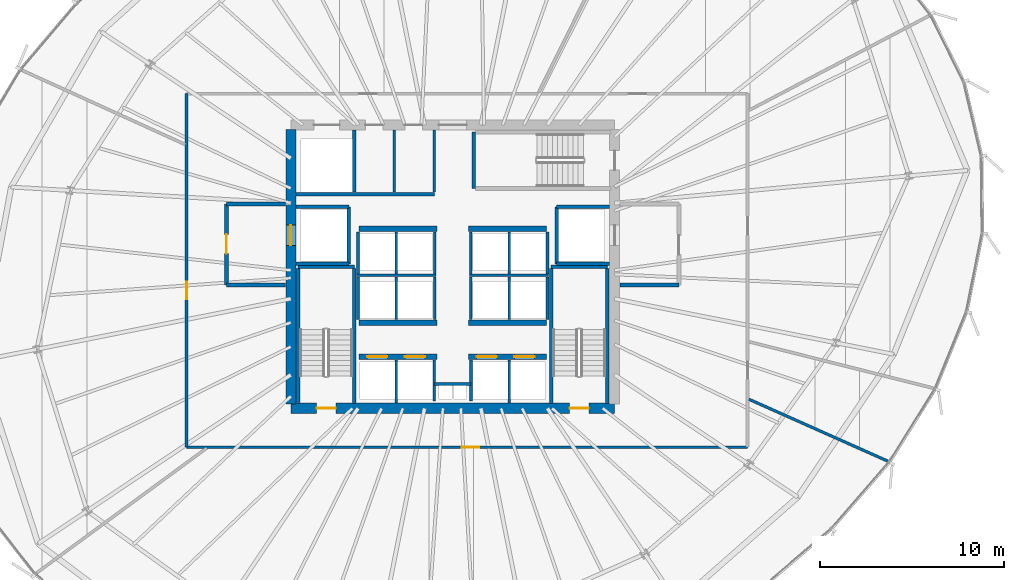
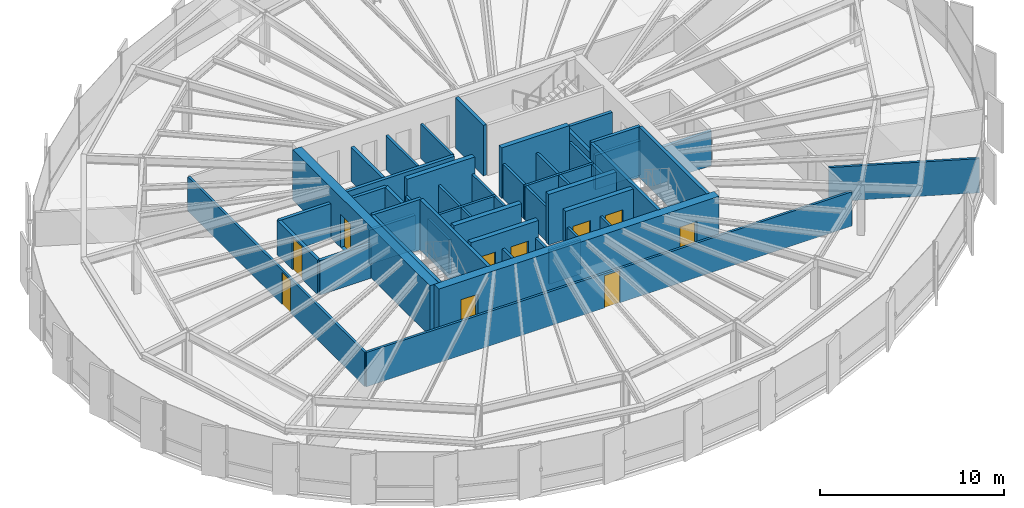
# One storey, part 27 of 33: 51 walls, 10 doors, 10 openings.
"""IFC4 building model written with IfcOpenShell, lengths in metres."""

from ifc_helpers import new_model, si_unit, direction, frame, frame_2d, origin, place, context, subcontext, project, spatial, rectangle, extrude, source, transform, mapped, material, layer, layer_set, type_object, element, fill, save


model = new_model("IFC4")

# Units and contexts
model_context = context("Model", 3, precision=1e-05, world=origin(), true_north=direction((0.0, 1.0)))
body_context = subcontext(model_context, "Body", "Model", "MODEL_VIEW")
ifc_project = project(units=[si_unit("LENGTHUNIT", "METRE"), si_unit("AREAUNIT", "SQUARE_METRE"), si_unit("VOLUMEUNIT", "CUBIC_METRE"), si_unit("PLANEANGLEUNIT", "RADIAN"), si_unit("MASSUNIT", "GRAM", prefix="KILO"), si_unit("THERMODYNAMICTEMPERATUREUNIT", "KELVIN")], contexts=[model_context])

# Site, building, storey
site_placement = place(None, origin())
site = spatial("IfcSite", under=ifc_project, at=site_placement, CompositionType="ELEMENT")
building_placement = place(site_placement, origin())
building = spatial("IfcBuilding", under=site, at=building_placement, Name="Kethvar Cultural Tower", CompositionType="ELEMENT")
storey_placement = place(building_placement, frame((0.0, 0.0, 114.39990234375)))
storey = spatial("IfcBuildingStorey", under=building, at=storey_placement, Name="L28", CompositionType="ELEMENT", Elevation=114.39990234375)

# Wall, openings, doors
ifc_material_1 = material(Name="Concrete C60/75", Category="concrete")
ifc_layer_1 = layer(ifc_material_1, 0.550048828125, Name="Concrete C60/75", Category="concrete")
ifc_layer_set_1 = layer_set([ifc_layer_1], Name="Concrete C60/75 (550 mm)")
wall_type_1 = type_object("IfcWallType", Name="WL-CORE-550", PredefinedType="SHEAR", material=ifc_layer_set_1)
wall_1_placement = place(storey_placement, frame((38.0, 20.10009765625, 0.0), z_axis=(0.0, 0.0, 1.0), x_axis=(1.0, 0.0, 0.0)))
wall_1 = element("IfcWall", 1, at=wall_1_placement, inside=storey, type_object=wall_type_1, Name="L28 Core Shear Wall S", PredefinedType="SHEAR", context=body_context, shape_type="SweptSolid", body=[
    extrude(rectangle(XDim=17.60009765625, YDim=0.550048828125, at=frame_2d((8.800048828125, 0.0))), origin(), (0.0, 0.0, 1.0), 3.35009765625),
])
opening_1_placement = place(wall_1_placement, frame((1.39990234375, 0.0, 0.0)))
opening_1 = element("IfcOpeningElement", 2, at=opening_1_placement, cuts=wall_1, Name="Opening D-L28-S1", PredefinedType="OPENING", context=body_context, shape_type="SweptSolid", body=[
    extrude(rectangle(XDim=1.050048828125, YDim=2.14990234375, at=frame_2d((0.52490234375, 1.074951171875))), frame((0.0, 0.284912109375, 0.0), z_axis=(0.0, -1.0, 0.0), x_axis=(1.0, 0.0, 0.0)), (0.0, 0.0, 1.0), 0.570068359375),
])
opening_2_placement = place(wall_1_placement, frame((15.14990234375, 0.0, 0.0)))
opening_2 = element("IfcOpeningElement", 3, at=opening_2_placement, cuts=wall_1, Name="Opening D-L28-ST2", PredefinedType="OPENING", context=body_context, shape_type="SweptSolid", body=[
    extrude(rectangle(XDim=1.050048828125, YDim=2.14990234375, at=frame_2d((0.52490234375, 1.074951171875))), frame((0.0, 0.284912109375, 0.0), z_axis=(0.0, -1.0, 0.0), x_axis=(1.0, 0.0, 0.0)), (0.0, 0.0, 1.0), 0.570068359375),
])
ifc_material_2 = material(Name="Steel S355J2", Category="steel")
door_type_1 = type_object("IfcDoorType", Name="DR-FD60-1050", OperationType="NOTDEFINED", PredefinedType="DOOR", material=ifc_material_2)
shared_shape_1 = source(origin(), body_context, "Body", "SweptSolid", [
    extrude(rectangle(XDim=1.050048828125, YDim=2.14990234375, at=frame_2d((0.52490234375, 1.074951171875))), frame((0.0, 0.02490234375, 0.0), z_axis=(0.0, -1.0, 0.0), x_axis=(1.0, 0.0, 0.0)), (0.0, 0.0, 1.0), 0.050048828125),
])
door_1_placement = place(opening_1_placement, origin())
door_1 = element("IfcDoor", 4, at=door_1_placement, inside=storey, type_object=door_type_1, Name="L28 Exit Stair 1 Door", OperationType="SINGLE_SWING_LEFT", OverallHeight=2.14990234375, OverallWidth=1.050048828125, PredefinedType="DOOR", context=body_context, shape_type="MappedRepresentation", body=[
    mapped(shared_shape_1, transform((0.0, 0.0, 0.0), scale=1.0)),
])
fill(opening_1, door_1)
door_2_placement = place(opening_2_placement, origin())
door_2 = element("IfcDoor", 5, at=door_2_placement, inside=storey, type_object=door_type_1, Name="L28 Exit Stair 2 Door", OperationType="SINGLE_SWING_RIGHT", OverallHeight=2.14990234375, OverallWidth=1.050048828125, PredefinedType="DOOR", context=body_context, shape_type="MappedRepresentation", body=[
    mapped(shared_shape_1, transform((0.0, 0.0, 0.0), scale=1.0)),
])
fill(opening_2, door_2)

# Wall, opening, door
wall_2_placement = place(storey_placement, frame((38.0, 35.260009765625, 0.0), z_axis=(0.0, 0.0, 1.0), x_axis=(0.0, -1.0, 0.0)))
wall_2 = element("IfcWall", 6, at=wall_2_placement, inside=storey, type_object=wall_type_1, Name="L28 Core Shear Wall W", PredefinedType="SHEAR", context=body_context, shape_type="SweptSolid", body=[
    extrude(rectangle(XDim=14.919921875, YDim=0.550048828125, at=frame_2d((7.4599609375, 0.0))), origin(), (0.0, 0.0, 1.0), 3.35009765625),
])
opening_3_placement = place(wall_2_placement, frame((5.2099609375, 0.0, 0.0)))
opening_3 = element("IfcOpeningElement", 7, at=opening_3_placement, cuts=wall_2, Name="Opening LD-1", PredefinedType="OPENING", context=body_context, shape_type="SweptSolid", body=[
    extrude(rectangle(XDim=1.10009765625, YDim=2.199951171875, at=frame_2d((0.550048828125, 1.10009765625))), frame((0.0, 0.284912109375, 0.0), z_axis=(0.0, -1.0, 0.0), x_axis=(1.0, 0.0, 0.0)), (0.0, 0.0, 1.0), 0.570068359375),
])
door_type_2 = type_object("IfcDoorType", Name="DR-LIFT-SLIDE-1100", OperationType="NOTDEFINED", PredefinedType="DOOR", material=ifc_material_2)
shared_shape_2 = source(origin(), body_context, "Body", "SweptSolid", [
    extrude(rectangle(XDim=1.10009765625, YDim=2.199951171875, at=frame_2d((0.550048828125, 1.10009765625))), frame((0.0, 0.02490234375, 0.0), z_axis=(0.0, -1.0, 0.0), x_axis=(1.0, 0.0, 0.0)), (0.0, 0.0, 1.0), 0.050048828125),
])
door_3_placement = place(opening_3_placement, origin())
door_3 = element("IfcDoor", 8, at=door_3_placement, inside=storey, type_object=door_type_2, Name="L28 Firefighting Lift Landing Door FFL-01", OperationType="SLIDING_TO_LEFT", OverallHeight=2.199951171875, OverallWidth=1.10009765625, PredefinedType="DOOR", context=body_context, shape_type="MappedRepresentation", body=[
    mapped(shared_shape_2, transform((0.0, 0.0, 0.0), scale=1.0)),
])
fill(opening_3, door_3)

# Walls
ifc_material_3 = material(Name="Gypsum Fireboard Partition")
ifc_layer_2 = layer(ifc_material_3, 0.14990234375, Name="Gypsum Fireboard Partition")
ifc_layer_set_2 = layer_set([ifc_layer_2], Name="Gypsum Fireboard Partition (150 mm)")
wall_type_2 = type_object("IfcWallType", Name="WL-FIRE-150", PredefinedType="PARTITIONING", material=ifc_layer_set_2)
wall_3_placement = place(storey_placement, frame((45.800048828125, 21.419921875, 0.0), z_axis=(0.0, 0.0, 1.0), x_axis=(1.0, 0.0, 0.0)))
element("IfcWall", 9, at=wall_3_placement, inside=storey, type_object=wall_type_2, Name="L28 Core Riser Wall", PredefinedType="PARTITIONING", context=body_context, shape_type="SweptSolid", body=[
    extrude(rectangle(XDim=2.0, YDim=0.14990234375, at=frame_2d((1.0, 0.0))), origin(), (0.0, 0.0, 1.0), 2.280029296875),
])
for number, where, z_axis, x_axis, name in (
    (10, (45.800048828125, 20.47998046875, 0.0), (0.0, 0.0, 1.0), (0.0, 1.0, 0.0), "L28 Core Riser West Wall"),
    (11, (47.800048828125, 20.47998046875, 0.0), (0.0, 0.0, 1.0), (0.0, 1.0, 0.0), "L28 Core Riser East Wall"),
):
    element("IfcWall", number, at=place(storey_placement, frame(where, z_axis=z_axis, x_axis=x_axis)), inside=storey, type_object=wall_type_2, Name=name, PredefinedType="PARTITIONING", context=body_context, shape_type="SweptSolid", body=[
        extrude(rectangle(XDim=2.239990234375, YDim=0.14990234375, at=frame_2d((1.1201171875, 0.0))), origin(), (0.0, 0.0, 1.0), 2.280029296875),
    ])
for number, where, z_axis, x_axis, name in (
    (12, (43.72509765625, 20.385009765625, 0.0), (0.0, 0.0, 1.0), (0.0, 1.0, 0.0), "L28 Low-Rise Lift Shaft Divider W"),
    (13, (49.875, 20.385009765625, 0.0), (0.0, 0.0, 1.0), (0.0, 1.0, 0.0), "L28 Low-Rise Lift Shaft Divider E"),
):
    element("IfcWall", number, at=place(storey_placement, frame(where, z_axis=z_axis, x_axis=x_axis)), inside=storey, type_object=wall_type_2, Name=name, PredefinedType="PARTITIONING", context=body_context, shape_type="SweptSolid", body=[
        extrude(rectangle(XDim=2.344970703125, YDim=0.14990234375, at=frame_2d((1.17236328125, 0.0))), origin(), (0.0, 0.0, 1.0), 2.280029296875),
    ])
wall_4_placement = place(storey_placement, frame((41.580078125, 27.324951171875, 0.0), z_axis=(0.0, 0.0, 1.0), x_axis=(1.0, 0.0, 0.0)))
element("IfcWall", 14, at=wall_4_placement, inside=storey, type_object=wall_type_2, Name="L28 Mid-High Lift Shaft Back Wall W", PredefinedType="PARTITIONING", context=body_context, shape_type="SweptSolid", body=[
    extrude(rectangle(XDim=4.31982421875, YDim=0.14990234375, at=frame_2d((2.159912109375, 0.0))), origin(), (0.0, 0.0, 1.0), 2.280029296875),
])
wall_5_placement = place(storey_placement, frame((47.699951171875, 27.324951171875, 0.0), z_axis=(0.0, 0.0, 1.0), x_axis=(1.0, 0.0, 0.0)))
element("IfcWall", 15, at=wall_5_placement, inside=storey, type_object=wall_type_2, Name="L28 Mid-High Lift Shaft Back Wall E", PredefinedType="PARTITIONING", context=body_context, shape_type="SweptSolid", body=[
    extrude(rectangle(XDim=4.320068359375, YDim=0.14990234375, at=frame_2d((2.16015625, 0.0))), origin(), (0.0, 0.0, 1.0), 2.280029296875),
])
for number, where, z_axis, x_axis, name in (
    (16, (41.64990234375, 24.919921875, 0.0), (0.0, 0.0, 1.0), (0.0, 1.0, 0.0), "L28 Mid-Rise Lift Shaft Outer Wall W"),
    (17, (43.72509765625, 24.919921875, 0.0), (0.0, 0.0, 1.0), (0.0, 1.0, 0.0), "L28 Mid-Rise Lift Shaft Divider W"),
    (18, (45.824951171875, 24.919921875, 0.0), (0.0, 0.0, 1.0), (0.0, 1.0, 0.0), "L28 Mid-Rise Lift Shaft Concourse Wall W"),
    (19, (47.77490234375, 24.919921875, 0.0), (0.0, 0.0, 1.0), (0.0, 1.0, 0.0), "L28 Mid-Rise Lift Shaft Concourse Wall E"),
    (20, (49.875, 24.919921875, 0.0), (0.0, 0.0, 1.0), (0.0, 1.0, 0.0), "L28 Mid-Rise Lift Shaft Divider E"),
    (21, (51.949951171875, 24.919921875, 0.0), (0.0, 0.0, 1.0), (0.0, 1.0, 0.0), "L28 Mid-Rise Lift Shaft Outer Wall E"),
):
    element("IfcWall", number, at=place(storey_placement, frame(where, z_axis=z_axis, x_axis=x_axis)), inside=storey, type_object=wall_type_2, Name=name, PredefinedType="PARTITIONING", context=body_context, shape_type="SweptSolid", body=[
        extrude(rectangle(XDim=2.320068359375, YDim=0.14990234375, at=frame_2d((1.16015625, 0.0))), origin(), (0.0, 0.0, 1.0), 2.280029296875),
    ])
for number, where, z_axis, x_axis, name in (
    (22, (41.64990234375, 27.409912109375, 0.0), (0.0, 0.0, 1.0), (0.0, 1.0, 0.0), "L28 High-Rise Lift Shaft Outer Wall W"),
    (23, (43.72509765625, 27.409912109375, 0.0), (0.0, 0.0, 1.0), (0.0, 1.0, 0.0), "L28 High-Rise Lift Shaft Divider W"),
    (24, (45.824951171875, 27.409912109375, 0.0), (0.0, 0.0, 1.0), (0.0, 1.0, 0.0), "L28 High-Rise Lift Shaft Concourse Wall W"),
    (25, (47.77490234375, 27.409912109375, 0.0), (0.0, 0.0, 1.0), (0.0, 1.0, 0.0), "L28 High-Rise Lift Shaft Concourse Wall E"),
    (26, (49.875, 27.409912109375, 0.0), (0.0, 0.0, 1.0), (0.0, 1.0, 0.0), "L28 High-Rise Lift Shaft Divider E"),
    (27, (51.949951171875, 27.409912109375, 0.0), (0.0, 0.0, 1.0), (0.0, 1.0, 0.0), "L28 High-Rise Lift Shaft Outer Wall E"),
):
    element("IfcWall", number, at=place(storey_placement, frame(where, z_axis=z_axis, x_axis=x_axis)), inside=storey, type_object=wall_type_2, Name=name, PredefinedType="PARTITIONING", context=body_context, shape_type="SweptSolid", body=[
        extrude(rectangle(XDim=2.27001953125, YDim=0.14990234375, at=frame_2d((1.135009765625, 0.0))), origin(), (0.0, 0.0, 1.0), 2.280029296875),
    ])
wall_6_placement = place(storey_placement, frame((45.800048828125, 31.85009765625, 0.0), z_axis=(0.0, 0.0, 1.0), x_axis=(0.0, 1.0, 0.0)))
element("IfcWall", 28, at=wall_6_placement, inside=storey, type_object=wall_type_2, Name="L28 Sanitary Spine Wall", PredefinedType="PARTITIONING", context=body_context, shape_type="SweptSolid", body=[
    extrude(rectangle(XDim=3.364990234375, YDim=0.14990234375, at=frame_2d((1.6826171875, 0.0))), origin(), (0.0, 0.0, 1.0), 2.280029296875),
])

# Wall, opening, door
wall_7_placement = place(storey_placement, frame((32.330078125, 17.97998046875, 0.0), z_axis=(0.0, 0.0, 1.0), x_axis=(1.0, 0.0, 0.0)))
wall_7 = element("IfcWall", 29, at=wall_7_placement, inside=storey, type_object=wall_type_2, Name="L28 Corridor Rated Wall S", PredefinedType="PARTITIONING", context=body_context, shape_type="SweptSolid", body=[
    extrude(rectangle(XDim=30.5, YDim=0.14990234375, at=frame_2d((15.25, 0.0))), origin(), (0.0, 0.0, 1.0), 2.280029296875),
])
opening_4_placement = place(wall_7_placement, frame((14.9677734375, 0.0, 0.0)))
opening_4 = element("IfcOpeningElement", 30, at=opening_4_placement, cuts=wall_7, Name="Opening D-L28-01", PredefinedType="OPENING", context=body_context, shape_type="SweptSolid", body=[
    extrude(rectangle(XDim=0.949951171875, YDim=2.14990234375, at=frame_2d((0.47509765625, 1.074951171875))), frame((0.0, 0.0849609375, 0.0), z_axis=(0.0, -1.0, 0.0), x_axis=(1.0, 0.0, 0.0)), (0.0, 0.0, 1.0), 0.169921875),
])
ifc_material_4 = material(Name="Architectural Oak Timber", Category="wood")
door_type_3 = type_object("IfcDoorType", Name="DR-FD30-950", OperationType="NOTDEFINED", PredefinedType="DOOR", material=ifc_material_4)
shared_shape_3 = source(origin(), body_context, "Body", "SweptSolid", [
    extrude(rectangle(XDim=0.949951171875, YDim=2.14990234375, at=frame_2d((0.47509765625, 1.074951171875))), frame((0.0, 0.02490234375, 0.0), z_axis=(0.0, -1.0, 0.0), x_axis=(1.0, 0.0, 0.0)), (0.0, 0.0, 1.0), 0.050048828125),
])
door_4_placement = place(opening_4_placement, origin())
door_4 = element("IfcDoor", 31, at=door_4_placement, inside=storey, type_object=door_type_3, Name="L28 Visitor Reception 01 Door", OperationType="SINGLE_SWING_LEFT", OverallHeight=2.14990234375, OverallWidth=0.949951171875, PredefinedType="DOOR", context=body_context, shape_type="MappedRepresentation", body=[
    mapped(shared_shape_3, transform((0.0, 0.0, 0.0), scale=1.0)),
])
fill(opening_4, door_4)

wall_8_placement = place(storey_placement, frame((32.330078125, 37.199951171875, 0.0), z_axis=(0.0, 0.0, 1.0), x_axis=(0.0, -1.0, 0.0)))
wall_8 = element("IfcWall", 32, at=wall_8_placement, inside=storey, type_object=wall_type_2, Name="L28 Corridor Rated Wall W", PredefinedType="PARTITIONING", context=body_context, shape_type="SweptSolid", body=[
    extrude(rectangle(XDim=19.219970703125, YDim=0.14990234375, at=frame_2d((9.60986328125, 0.0))), origin(), (0.0, 0.0, 1.0), 2.280029296875),
])
opening_5_placement = place(wall_8_placement, frame((10.22900390625, 0.0, 0.0)))
opening_5 = element("IfcOpeningElement", 33, at=opening_5_placement, cuts=wall_8, Name="Opening D-L28-06", PredefinedType="OPENING", context=body_context, shape_type="SweptSolid", body=[
    extrude(rectangle(XDim=0.949951171875, YDim=2.14990234375, at=frame_2d((0.47509765625, 1.074951171875))), frame((0.0, 0.0849609375, 0.0), z_axis=(0.0, -1.0, 0.0), x_axis=(1.0, 0.0, 0.0)), (0.0, 0.0, 1.0), 0.169921875),
])
door_5_placement = place(opening_5_placement, origin())
door_5 = element("IfcDoor", 34, at=door_5_placement, inside=storey, type_object=door_type_3, Name="L28 Staff Tea Pantry 06 Door", OperationType="SINGLE_SWING_RIGHT", OverallHeight=2.14990234375, OverallWidth=0.949951171875, PredefinedType="DOOR", context=body_context, shape_type="MappedRepresentation", body=[
    mapped(shared_shape_3, transform((0.0, 0.0, 0.0), scale=1.0)),
])
fill(opening_5, door_5)

# Walls
ifc_material_5 = material(Name="Concrete C40/50", Category="concrete")
ifc_layer_3 = layer(ifc_material_5, 0.199951171875, Name="Concrete C40/50", Category="concrete")
ifc_layer_set_3 = layer_set([ifc_layer_3], Name="Concrete C40/50 (200 mm)")
wall_type_3 = type_object("IfcWallType", Name="WL-FIRE-200", PredefinedType="PARTITIONING", material=ifc_layer_set_3)
wall_9_placement = place(storey_placement, frame((41.14990234375, 27.949951171875, 0.0), z_axis=(0.0, 0.0, 1.0), x_axis=(0.0, 1.0, 0.0)))
element("IfcWall", 35, at=wall_9_placement, inside=storey, type_object=wall_type_3, Name="L28 FFL-01 Shaft Inner Wall", PredefinedType="PARTITIONING", context=body_context, shape_type="SweptSolid", body=[
    extrude(rectangle(XDim=3.10009765625, YDim=0.199951171875, at=frame_2d((1.550048828125, 0.0))), origin(), (0.0, 0.0, 1.0), 2.280029296875),
])
for number, where, z_axis, x_axis, name in (
    (36, (38.284912109375, 27.949951171875, 0.0), (0.0, 0.0, 1.0), (1.0, 0.0, 0.0), "L28 FFL-01 Shaft South Wall"),
    (37, (38.284912109375, 31.050048828125, 0.0), (0.0, 0.0, 1.0), (1.0, 0.0, 0.0), "L28 FFL-01 Shaft North Wall"),
):
    element("IfcWall", number, at=place(storey_placement, frame(where, z_axis=z_axis, x_axis=x_axis)), inside=storey, type_object=wall_type_3, Name=name, PredefinedType="PARTITIONING", context=body_context, shape_type="SweptSolid", body=[
        extrude(rectangle(XDim=2.864990234375, YDim=0.199951171875, at=frame_2d((1.4326171875, 0.0))), origin(), (0.0, 0.0, 1.0), 2.280029296875),
    ])

# Wall, opening, door
wall_10_placement = place(storey_placement, frame((34.5, 31.199951171875, 0.0), z_axis=(0.0, 0.0, 1.0), x_axis=(0.0, -1.0, 0.0)))
wall_10 = element("IfcWall", 38, at=wall_10_placement, inside=storey, type_object=wall_type_3, Name="L28 Firefighting Lobby 1 Wall", PredefinedType="PARTITIONING", context=body_context, shape_type="SweptSolid", body=[
    extrude(rectangle(XDim=4.39990234375, YDim=0.199951171875, at=frame_2d((2.199951171875, 0.0))), origin(), (0.0, 0.0, 1.0), 2.280029296875),
])
opening_6_placement = place(wall_10_placement, frame((1.64990234375, 0.0, 0.0)))
opening_6 = element("IfcOpeningElement", 39, at=opening_6_placement, cuts=wall_10, Name="Opening D-L28-F1", PredefinedType="OPENING", context=body_context, shape_type="SweptSolid", body=[
    extrude(rectangle(XDim=1.050048828125, YDim=2.14990234375, at=frame_2d((0.52490234375, 1.074951171875))), frame((0.0, 0.10986328125, 0.0), z_axis=(0.0, -1.0, 0.0), x_axis=(1.0, 0.0, 0.0)), (0.0, 0.0, 1.0), 0.219970703125),
])
door_6_placement = place(opening_6_placement, origin())
door_6 = element("IfcDoor", 40, at=door_6_placement, inside=storey, type_object=door_type_1, Name="L28 Firefighting Lobby 1 Fire Door", OperationType="SINGLE_SWING_LEFT", OverallHeight=2.14990234375, OverallWidth=1.050048828125, PredefinedType="DOOR", context=body_context, shape_type="MappedRepresentation", body=[
    mapped(shared_shape_1, transform((0.0, 0.0, 0.0), scale=1.0)),
])
fill(opening_6, door_6)

# Walls
for number, where, z_axis, x_axis, name in (
    (41, (34.5, 26.800048828125, 0.0), (0.0, 0.0, 1.0), (1.0, 0.0, 0.0), "L28 FF Lobby 1 South Wall"),
    (42, (34.5, 31.199951171875, 0.0), (0.0, 0.0, 1.0), (1.0, 0.0, 0.0), "L28 FF Lobby 1 North Wall"),
):
    element("IfcWall", number, at=place(storey_placement, frame(where, z_axis=z_axis, x_axis=x_axis)), inside=storey, type_object=wall_type_3, Name=name, PredefinedType="PARTITIONING", context=body_context, shape_type="SweptSolid", body=[
        extrude(rectangle(XDim=3.215087890625, YDim=0.199951171875, at=frame_2d((1.607421875, 0.0))), origin(), (0.0, 0.0, 1.0), 2.280029296875),
    ])
wall_11_placement = place(storey_placement, frame((52.449951171875, 27.949951171875, 0.0), z_axis=(0.0, 0.0, 1.0), x_axis=(0.0, 1.0, 0.0)))
element("IfcWall", 43, at=wall_11_placement, inside=storey, type_object=wall_type_3, Name="L28 FFL-02 Shaft Inner Wall", PredefinedType="PARTITIONING", context=body_context, shape_type="SweptSolid", body=[
    extrude(rectangle(XDim=3.10009765625, YDim=0.199951171875, at=frame_2d((1.550048828125, 0.0))), origin(), (0.0, 0.0, 1.0), 2.280029296875),
])
for number, where, z_axis, x_axis, name in (
    (44, (52.449951171875, 27.949951171875, 0.0), (0.0, 0.0, 1.0), (1.0, 0.0, 0.0), "L28 FFL-02 Shaft South Wall"),
    (45, (52.449951171875, 31.050048828125, 0.0), (0.0, 0.0, 1.0), (1.0, 0.0, 0.0), "L28 FFL-02 Shaft North Wall"),
):
    element("IfcWall", number, at=place(storey_placement, frame(where, z_axis=z_axis, x_axis=x_axis)), inside=storey, type_object=wall_type_3, Name=name, PredefinedType="PARTITIONING", context=body_context, shape_type="SweptSolid", body=[
        extrude(rectangle(XDim=2.864990234375, YDim=0.199951171875, at=frame_2d((1.4326171875, 0.0))), origin(), (0.0, 0.0, 1.0), 2.280029296875),
    ])
wall_12_placement = place(storey_placement, frame((55.885009765625, 26.800048828125, 0.0), z_axis=(0.0, 0.0, 1.0), x_axis=(1.0, 0.0, 0.0)))
element("IfcWall", 46, at=wall_12_placement, inside=storey, type_object=wall_type_3, Name="L28 FF Lobby 2 South Wall", PredefinedType="PARTITIONING", context=body_context, shape_type="SweptSolid", body=[
    extrude(rectangle(XDim=3.215087890625, YDim=0.199951171875, at=frame_2d((1.607421875, 0.0))), origin(), (0.0, 0.0, 1.0), 2.280029296875),
])
wall_13_placement = place(storey_placement, frame((41.449951171875, 31.85009765625, 0.0), z_axis=(0.0, 0.0, 1.0), x_axis=(0.0, 1.0, 0.0)))
element("IfcWall", 47, at=wall_13_placement, inside=storey, type_object=wall_type_3, Name="L28 NW Core Pocket Wall", PredefinedType="PARTITIONING", context=body_context, shape_type="SweptSolid", body=[
    extrude(rectangle(XDim=3.364990234375, YDim=0.199951171875, at=frame_2d((1.6826171875, 0.0))), origin(), (0.0, 0.0, 1.0), 2.280029296875),
])
wall_14_placement = place(storey_placement, frame((38.284912109375, 31.72998046875, 0.0), z_axis=(0.0, 0.0, 1.0), x_axis=(1.0, 0.0, 0.0)))
element("IfcWall", 48, at=wall_14_placement, inside=storey, type_object=wall_type_3, Name="L28 North Core Sanitary South Wall", PredefinedType="PARTITIONING", context=body_context, shape_type="SweptSolid", body=[
    extrude(rectangle(XDim=7.51513671875, YDim=0.199951171875, at=frame_2d((3.757568359375, 0.0))), origin(), (0.0, 0.0, 1.0), 2.280029296875),
])
ifc_material_6 = material(Name="Gypsum Acoustic Partition")
ifc_layer_4 = layer(ifc_material_6, 0.14990234375, Name="Gypsum Acoustic Partition")
ifc_layer_set_4 = layer_set([ifc_layer_4], Name="Gypsum Acoustic Partition (150 mm)")
wall_type_4 = type_object("IfcWallType", Name="WL-PART-150", PredefinedType="PARTITIONING", material=ifc_layer_set_4)
wall_15_placement = place(storey_placement, frame((62.903076171875, 20.588134765625, 0.0), z_axis=(0.0, 0.0, 1.0), x_axis=(0.91339868134, -0.407066148096, 0.0)))
element("IfcWall", 49, at=wall_15_placement, inside=storey, type_object=wall_type_4, Name="L28 Radial Partition Wall 02", PredefinedType="PARTITIONING", context=body_context, shape_type="SweptSolid", body=[
    extrude(rectangle(XDim=8.25146484375, YDim=0.14990234375, at=frame_2d((4.125732421875, 0.0))), origin(), (0.0, 0.0, 1.0), 2.280029296875),
])
ifc_material_7 = material(Name="Moisture-Resistant Sanitary Chase Wall")
ifc_layer_5 = layer(ifc_material_7, 0.14990234375, Name="Moisture-Resistant Sanitary Chase Wall")
ifc_layer_set_5 = layer_set([ifc_layer_5], Name="Moisture-Resistant Sanitary Chase Wall (150 mm)")
wall_type_5 = type_object("IfcWallType", Name="WL-PLUMB-150", PredefinedType="PLUMBINGWALL", material=ifc_layer_set_5)
wall_16_placement = place(storey_placement, frame((43.6201171875, 31.85009765625, 0.0), z_axis=(0.0, 0.0, 1.0), x_axis=(0.0, 1.0, 0.0)))
element("IfcWall", 50, at=wall_16_placement, inside=storey, type_object=wall_type_5, Name="L28 Sanitary Plumbing Wall", PredefinedType="PLUMBINGWALL", context=body_context, shape_type="SweptSolid", body=[
    extrude(rectangle(XDim=3.364990234375, YDim=0.14990234375, at=frame_2d((1.6826171875, 0.0))), origin(), (0.0, 0.0, 1.0), 2.280029296875),
])

# Wall, openings, doors
ifc_material_8 = material(Name="Concrete C50/60", Category="concrete")
ifc_layer_6 = layer(ifc_material_8, 0.300048828125, Name="Concrete C50/60", Category="concrete")
ifc_layer_set_6 = layer_set([ifc_layer_6], Name="Concrete C50/60 (300 mm)")
wall_type_6 = type_object("IfcWallType", Name="WL-SHAFT-300", PredefinedType="SHEAR", material=ifc_layer_set_6)
wall_17_placement = place(storey_placement, frame((41.699951171875, 22.89990234375, 0.0), z_axis=(0.0, 0.0, 1.0), x_axis=(1.0, 0.0, 0.0)))
wall_17 = element("IfcWall", 51, at=wall_17_placement, inside=storey, type_object=wall_type_6, Name="L28 Core Lift Spine Wall MID1W", PredefinedType="SHEAR", context=body_context, shape_type="SweptSolid", body=[
    extrude(rectangle(XDim=4.25, YDim=0.300048828125, at=frame_2d((2.125, 0.0))), origin(), (0.0, 0.0, 1.0), 3.35009765625),
])
opening_7_placement = place(wall_17_placement, frame((0.449951171875, 0.0, 0.0)))
opening_7 = element("IfcOpeningElement", 52, at=opening_7_placement, cuts=wall_17, Name="Opening LD-L1", PredefinedType="OPENING", context=body_context, shape_type="SweptSolid", body=[
    extrude(rectangle(XDim=1.10009765625, YDim=2.199951171875, at=frame_2d((0.550048828125, 1.10009765625))), frame((0.0, 0.159912109375, 0.0), z_axis=(0.0, -1.0, 0.0), x_axis=(1.0, 0.0, 0.0)), (0.0, 0.0, 1.0), 0.320068359375),
])
opening_8_placement = place(wall_17_placement, frame((2.5, 0.0, 0.0)))
opening_8 = element("IfcOpeningElement", 53, at=opening_8_placement, cuts=wall_17, Name="Opening LD-L2", PredefinedType="OPENING", context=body_context, shape_type="SweptSolid", body=[
    extrude(rectangle(XDim=1.10009765625, YDim=2.199951171875, at=frame_2d((0.550048828125, 1.10009765625))), frame((0.0, 0.159912109375, 0.0), z_axis=(0.0, -1.0, 0.0), x_axis=(1.0, 0.0, 0.0)), (0.0, 0.0, 1.0), 0.320068359375),
])
door_7_placement = place(opening_7_placement, origin())
door_7 = element("IfcDoor", 54, at=door_7_placement, inside=storey, type_object=door_type_2, Name="L28 Low-Rise Lift Landing Door L1", OperationType="SLIDING_TO_LEFT", OverallHeight=2.199951171875, OverallWidth=1.10009765625, PredefinedType="DOOR", context=body_context, shape_type="MappedRepresentation", body=[
    mapped(shared_shape_2, transform((0.0, 0.0, 0.0), scale=1.0)),
])
fill(opening_7, door_7)
door_8_placement = place(opening_8_placement, origin())
door_8 = element("IfcDoor", 55, at=door_8_placement, inside=storey, type_object=door_type_2, Name="L28 Low-Rise Lift Landing Door L2", OperationType="SLIDING_TO_LEFT", OverallHeight=2.199951171875, OverallWidth=1.10009765625, PredefinedType="DOOR", context=body_context, shape_type="MappedRepresentation", body=[
    mapped(shared_shape_2, transform((0.0, 0.0, 0.0), scale=1.0)),
])
fill(opening_8, door_8)

wall_18_placement = place(storey_placement, frame((47.64990234375, 22.89990234375, 0.0), z_axis=(0.0, 0.0, 1.0), x_axis=(1.0, 0.0, 0.0)))
wall_18 = element("IfcWall", 56, at=wall_18_placement, inside=storey, type_object=wall_type_6, Name="L28 Core Lift Spine Wall MID1E", PredefinedType="SHEAR", context=body_context, shape_type="SweptSolid", body=[
    extrude(rectangle(XDim=4.25, YDim=0.300048828125, at=frame_2d((2.125, 0.0))), origin(), (0.0, 0.0, 1.0), 3.35009765625),
])
opening_9_placement = place(wall_18_placement, frame((0.449951171875, 0.0, 0.0)))
opening_9 = element("IfcOpeningElement", 57, at=opening_9_placement, cuts=wall_18, Name="Opening LD-L3", PredefinedType="OPENING", context=body_context, shape_type="SweptSolid", body=[
    extrude(rectangle(XDim=1.10009765625, YDim=2.199951171875, at=frame_2d((0.550048828125, 1.10009765625))), frame((0.0, 0.159912109375, 0.0), z_axis=(0.0, -1.0, 0.0), x_axis=(1.0, 0.0, 0.0)), (0.0, 0.0, 1.0), 0.320068359375),
])
opening_10_placement = place(wall_18_placement, frame((2.5, 0.0, 0.0)))
opening_10 = element("IfcOpeningElement", 58, at=opening_10_placement, cuts=wall_18, Name="Opening LD-L4", PredefinedType="OPENING", context=body_context, shape_type="SweptSolid", body=[
    extrude(rectangle(XDim=1.10009765625, YDim=2.199951171875, at=frame_2d((0.550048828125, 1.10009765625))), frame((0.0, 0.159912109375, 0.0), z_axis=(0.0, -1.0, 0.0), x_axis=(1.0, 0.0, 0.0)), (0.0, 0.0, 1.0), 0.320068359375),
])
door_9_placement = place(opening_9_placement, origin())
door_9 = element("IfcDoor", 59, at=door_9_placement, inside=storey, type_object=door_type_2, Name="L28 Low-Rise Lift Landing Door L3", OperationType="SLIDING_TO_LEFT", OverallHeight=2.199951171875, OverallWidth=1.10009765625, PredefinedType="DOOR", context=body_context, shape_type="MappedRepresentation", body=[
    mapped(shared_shape_2, transform((0.0, 0.0, 0.0), scale=1.0)),
])
fill(opening_9, door_9)
door_10_placement = place(opening_10_placement, origin())
door_10 = element("IfcDoor", 60, at=door_10_placement, inside=storey, type_object=door_type_2, Name="L28 Low-Rise Lift Landing Door L4", OperationType="SLIDING_TO_LEFT", OverallHeight=2.199951171875, OverallWidth=1.10009765625, PredefinedType="DOOR", context=body_context, shape_type="MappedRepresentation", body=[
    mapped(shared_shape_2, transform((0.0, 0.0, 0.0), scale=1.0)),
])
fill(opening_10, door_10)

# Walls
for number, where, z_axis, x_axis, name in (
    (61, (41.699951171875, 24.75, 0.0), (0.0, 0.0, 1.0), (1.0, 0.0, 0.0), "L28 Core Lift Spine Wall MID2W"),
    (62, (47.64990234375, 24.75, 0.0), (0.0, 0.0, 1.0), (1.0, 0.0, 0.0), "L28 Core Lift Spine Wall MID2E"),
    (63, (41.699951171875, 29.85009765625, 0.0), (0.0, 0.0, 1.0), (1.0, 0.0, 0.0), "L28 Core Lift Spine Wall MID3W"),
    (64, (47.64990234375, 29.85009765625, 0.0), (0.0, 0.0, 1.0), (1.0, 0.0, 0.0), "L28 Core Lift Spine Wall MID3E"),
):
    element("IfcWall", number, at=place(storey_placement, frame(where, z_axis=z_axis, x_axis=x_axis)), inside=storey, type_object=wall_type_6, Name=name, PredefinedType="SHEAR", context=body_context, shape_type="SweptSolid", body=[
        extrude(rectangle(XDim=4.25, YDim=0.300048828125, at=frame_2d((2.125, 0.0))), origin(), (0.0, 0.0, 1.0), 3.35009765625),
    ])
ifc_layer_7 = layer(ifc_material_8, 0.199951171875, Name="Concrete C50/60", Category="concrete")
ifc_layer_set_7 = layer_set([ifc_layer_7], Name="Concrete C50/60 (200 mm)")
wall_type_7 = type_object("IfcWallType", Name="WL-STSHAFT-200", PredefinedType="SHEAR", material=ifc_layer_set_7)
wall_19_placement = place(storey_placement, frame((38.389892578125, 27.800048828125, 0.0), z_axis=(0.0, 0.0, 1.0), x_axis=(1.0, 0.0, 0.0)))
element("IfcWall", 65, at=wall_19_placement, inside=storey, type_object=wall_type_7, Name="L28 ST-01 Stair Shaft Wall FAR", PredefinedType="SHEAR", context=body_context, shape_type="SweptSolid", body=[
    extrude(rectangle(XDim=3.06005859375, YDim=0.199951171875, at=frame_2d((1.530029296875, 0.0))), origin(), (0.0, 0.0, 1.0), 3.35009765625),
])
for number, where, z_axis, x_axis, name in (
    (66, (41.449951171875, 27.699951171875, 0.0), (0.0, 0.0, 1.0), (0.0, -1.0, 0.0), "L28 ST-01 Stair Shaft Wall LEFT"),
    (67, (38.389892578125, 20.35009765625, 0.0), (0.0, 0.0, 1.0), (0.0, 1.0, 0.0), "L28 ST-01 Stair Shaft Wall RIGHT"),
):
    element("IfcWall", number, at=place(storey_placement, frame(where, z_axis=z_axis, x_axis=x_axis)), inside=storey, type_object=wall_type_7, Name=name, PredefinedType="SHEAR", context=body_context, shape_type="SweptSolid", body=[
        extrude(rectangle(XDim=7.349853515625, YDim=0.199951171875, at=frame_2d((3.6748046875, 0.0))), origin(), (0.0, 0.0, 1.0), 3.35009765625),
    ])
wall_20_placement = place(storey_placement, frame((52.14990234375, 27.800048828125, 0.0), z_axis=(0.0, 0.0, 1.0), x_axis=(1.0, 0.0, 0.0)))
element("IfcWall", 68, at=wall_20_placement, inside=storey, type_object=wall_type_7, Name="L28 ST-02 Stair Shaft Wall FAR", PredefinedType="SHEAR", context=body_context, shape_type="SweptSolid", body=[
    extrude(rectangle(XDim=3.06005859375, YDim=0.199951171875, at=frame_2d((1.530029296875, 0.0))), origin(), (0.0, 0.0, 1.0), 3.35009765625),
])
for number, where, z_axis, x_axis, name in (
    (69, (55.2099609375, 27.699951171875, 0.0), (0.0, 0.0, 1.0), (0.0, -1.0, 0.0), "L28 ST-02 Stair Shaft Wall LEFT"),
    (70, (52.14990234375, 20.35009765625, 0.0), (0.0, 0.0, 1.0), (0.0, 1.0, 0.0), "L28 ST-02 Stair Shaft Wall RIGHT"),
):
    element("IfcWall", number, at=place(storey_placement, frame(where, z_axis=z_axis, x_axis=x_axis)), inside=storey, type_object=wall_type_7, Name=name, PredefinedType="SHEAR", context=body_context, shape_type="SweptSolid", body=[
        extrude(rectangle(XDim=7.349853515625, YDim=0.199951171875, at=frame_2d((3.6748046875, 0.0))), origin(), (0.0, 0.0, 1.0), 3.35009765625),
    ])
wall_21_placement = place(storey_placement, frame((47.949951171875, 32.050048828125, 0.0), z_axis=(0.0, 0.0, 1.0), x_axis=(0.0, 1.0, 0.0)))
element("IfcWall", 71, at=wall_21_placement, inside=storey, type_object=wall_type_7, Name="L28 ST-03 Stair Shaft Wall FAR", PredefinedType="SHEAR", context=body_context, shape_type="SweptSolid", body=[
    extrude(rectangle(XDim=3.06005859375, YDim=0.199951171875, at=frame_2d((1.530029296875, 0.0))), origin(), (0.0, 0.0, 1.0), 3.35009765625),
])

save(model, "model.ifc")
